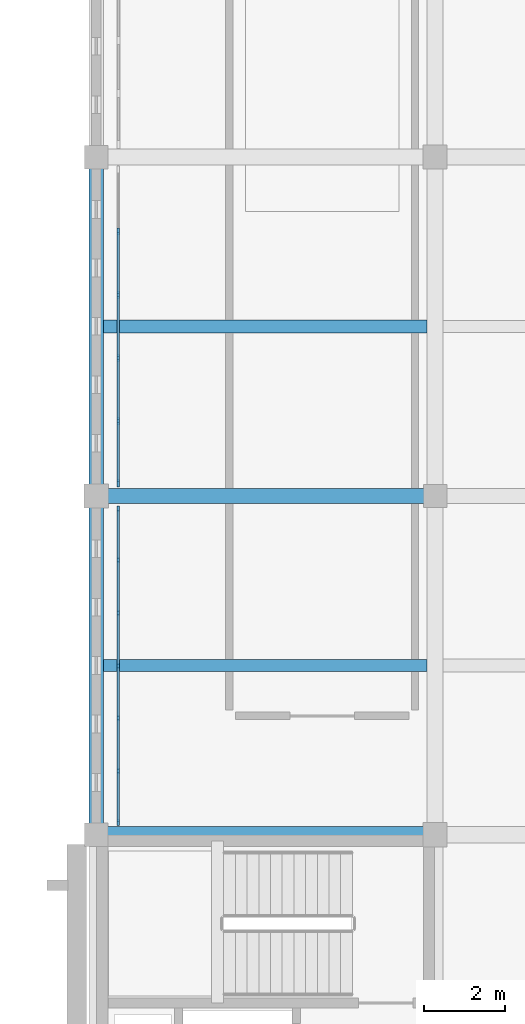
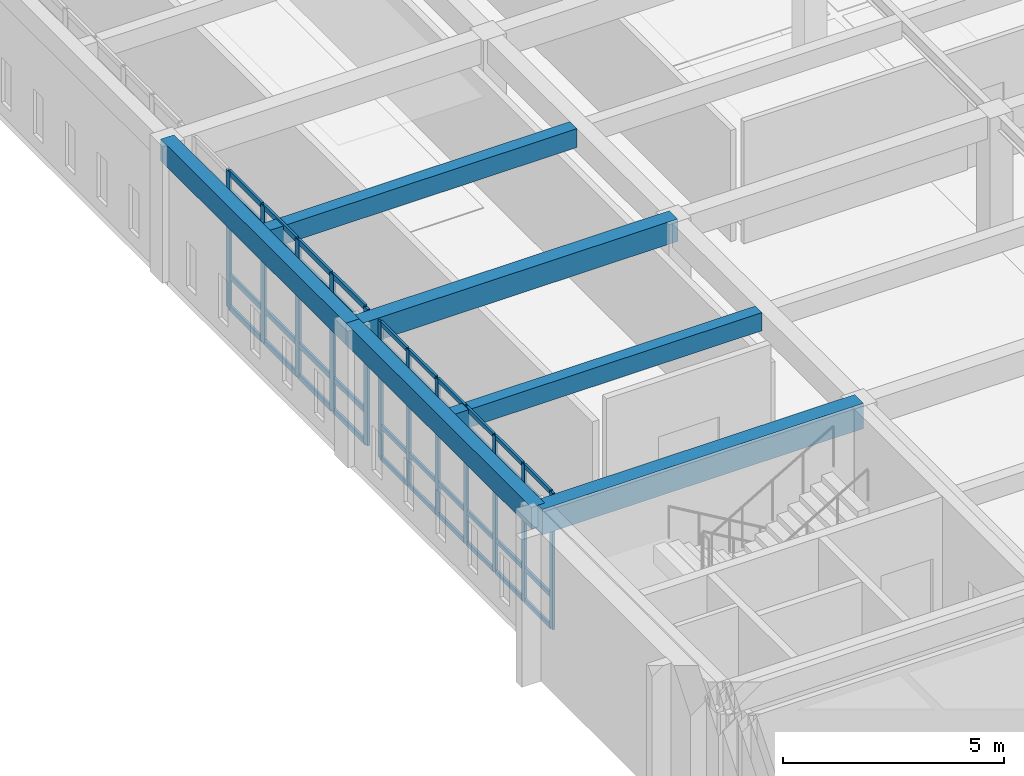
# One storey, part 2 of 56: 52 members, 6 beams, 2 elements without a shape of their own.
"""IFC4 building model written with IfcOpenShell, lengths in metres."""

from ifc_helpers import new_model, si_unit, direction, frame, origin, origin_2d, place, context, subcontext, project, spatial, rectangle, extrude, material, layer, layer_set, material_profile, profile_set, type_object, element, aggregate, save


model = new_model("IFC4")

# Units and contexts
model_context = context("Model", 3, precision=1e-05, world=origin(), true_north=direction((0.0, 1.0)))
body_context = subcontext(model_context, "Body", "Model", "MODEL_VIEW")
ifc_project = project(units=[si_unit("LENGTHUNIT", "METRE"), si_unit("AREAUNIT", "SQUARE_METRE"), si_unit("VOLUMEUNIT", "CUBIC_METRE"), si_unit("PLANEANGLEUNIT", "RADIAN"), si_unit("MASSUNIT", "GRAM", prefix="KILO")], contexts=[model_context])

# Site, building, storey
site_placement = place(None, origin())
site = spatial("IfcSite", under=ifc_project, at=site_placement, CompositionType="ELEMENT")
building_placement = place(site_placement, origin())
building = spatial("IfcBuilding", under=site, at=building_placement, Name="Kveldsbrygga Polytechnic", CompositionType="ELEMENT")
storey_placement = place(building_placement, frame((0.0, 0.0, 18.02001953125)))
storey = spatial("IfcBuildingStorey", under=building, at=storey_placement, Name="L04", CompositionType="ELEMENT", Elevation=18.02001953125)

# Beams
ifc_material_1 = material(Name="Concrete C35/45", Category="concrete")
ifc_material_profile_1 = material_profile(ifc_material_1, rectangle(XDim=0.3798828125, YDim=0.6201171875, at=origin_2d()), Name="RC 380x620")
ifc_profile_set_1 = profile_set([ifc_material_profile_1], Name="Concrete C35/45")
beam_type_1 = type_object("IfcBeamType", Name="BM-RC-380x620", PredefinedType="BEAM", material=ifc_profile_set_1)
beam_1_placement = place(storey_placement, frame((126.0, 42.0, 3.469970703125), z_axis=(1.0, 0.0, 0.0), x_axis=(0.0, 1.0, 0.0)))
element("IfcBeam", 1, at=beam_1_placement, inside=storey, type_object=beam_type_1, Name="Primary Beam BMX-L04-15to16-05", PredefinedType="BEAM", context=body_context, shape_type="SweptSolid", body=[
    extrude(rectangle(XDim=0.3798828125, YDim=0.6201171875, at=origin_2d()), origin(), (0.0, 0.0, 1.0), 8.39990234375),
])
ifc_material_profile_2 = material_profile(ifc_material_1, rectangle(XDim=0.39990234375, YDim=0.699951171875, at=origin_2d()), Name="RC 400x700")
ifc_profile_set_2 = profile_set([ifc_material_profile_2], Name="Concrete C35/45")
beam_type_2 = type_object("IfcBeamType", Name="BM-RC-400x700", PredefinedType="BEAM", material=ifc_profile_set_2)
beam_2_placement = place(storey_placement, frame((126.0, 33.60009765625, 3.429931640625), z_axis=(1.0, 0.0, 0.0), x_axis=(0.0, 1.0, 0.0)))
element("IfcBeam", 2, at=beam_2_placement, inside=storey, type_object=beam_type_2, Name="Primary Beam BMX-L04-15to16-04", PredefinedType="BEAM", context=body_context, shape_type="SweptSolid", body=[
    extrude(rectangle(XDim=0.39990234375, YDim=0.699951171875, at=origin_2d()), origin(), (0.0, 0.0, 1.0), 8.39990234375),
])
ifc_material_profile_3 = material_profile(ifc_material_1, rectangle(XDim=0.35009765625, YDim=0.60009765625, at=origin_2d()), Name="RC 350x600")
ifc_profile_set_3 = profile_set([ifc_material_profile_3], Name="Concrete C35/45")
beam_type_3 = type_object("IfcBeamType", Name="BM-SPANDREL-600", PredefinedType="T_BEAM", material=ifc_profile_set_3)
for number, where, z_axis, x_axis, name in (
    (3, (126.0, 33.60009765625, 3.47998046875), (0.0, 1.0, 0.0), (-1.0, 0.0, 0.0), "Primary Beam BMY-L04-15-04to05"),
    (4, (126.0, 42.0, 3.47998046875), (0.0, 1.0, 0.0), (-1.0, 0.0, 0.0), "Primary Beam BMY-L04-15-05to06"),
):
    element("IfcBeam", number, at=place(storey_placement, frame(where, z_axis=z_axis, x_axis=x_axis)), inside=storey, type_object=beam_type_3, Name=name, PredefinedType="T_BEAM", context=body_context, shape_type="SweptSolid", body=[
        extrude(rectangle(XDim=0.35009765625, YDim=0.60009765625, at=origin_2d()), origin(), (0.0, 0.0, 1.0), 8.39990234375),
    ])

# Curtain wall, members
ifc_material_2 = material(Name="Anodised aluminium AW-6060", Category="aluminium")
ifc_layer_1 = layer(ifc_material_2, 0.179931640625)
ifc_layer_set_1 = layer_set([ifc_layer_1], Name="Anodised aluminium AW-6060")
curtain_wall_type_1 = type_object("IfcCurtainWallType", Name="CW-CONC-A", PredefinedType="USERDEFINED", material=ifc_layer_set_1)
curtain_wall_1_placement = place(storey_placement, origin())
curtain_wall_1 = element("IfcCurtainWall", 5, at=curtain_wall_1_placement, inside=storey, type_object=curtain_wall_type_1, Name="Curtain Wall CW-L04-Y-15-04", ObjectType="UNITISED CURTAIN WALL", PredefinedType="USERDEFINED")
ifc_material_profile_4 = material_profile(ifc_material_2, rectangle(XDim=0.06005859375, YDim=0.139892578125, at=origin_2d()), Name="ALU 60x140")
ifc_profile_set_4 = profile_set([ifc_material_profile_4], Name="Anodised aluminium AW-6060")
member_type_1 = type_object("IfcMemberType", Name="CW-MUL-140", PredefinedType="MULLION", material=ifc_profile_set_4)
member_1_placement = place(storey_placement, frame((126.550048828125, 33.905029296875, 0.0), z_axis=(0.0, 0.0, 1.0), x_axis=(-1.0, 0.0, 0.0)))
member_1 = element("IfcMember", 6, at=member_1_placement, type_object=member_type_1, Name="CW-01 mullion 1", PredefinedType="MULLION", context=body_context, shape_type="SweptSolid", body=[
    extrude(rectangle(XDim=0.06005859375, YDim=0.139892578125, at=origin_2d()), origin(), (0.0, 0.0, 1.0), 3.780029296875),
])
member_2_placement = place(storey_placement, frame((126.550048828125, 35.181640625, 0.0), z_axis=(0.0, 0.0, 1.0), x_axis=(-1.0, 0.0, 0.0)))
member_2 = element("IfcMember", 7, at=member_2_placement, type_object=member_type_1, Name="CW-01 mullion 2", PredefinedType="MULLION", context=body_context, shape_type="SweptSolid", body=[
    extrude(rectangle(XDim=0.06005859375, YDim=0.139892578125, at=origin_2d()), origin(), (0.0, 0.0, 1.0), 3.780029296875),
])
member_3_placement = place(storey_placement, frame((126.550048828125, 36.48828125, 0.0), z_axis=(0.0, 0.0, 1.0), x_axis=(-1.0, 0.0, 0.0)))
member_3 = element("IfcMember", 8, at=member_3_placement, type_object=member_type_1, Name="CW-01 mullion 3", PredefinedType="MULLION", context=body_context, shape_type="SweptSolid", body=[
    extrude(rectangle(XDim=0.06005859375, YDim=0.139892578125, at=origin_2d()), origin(), (0.0, 0.0, 1.0), 3.780029296875),
])
member_4_placement = place(storey_placement, frame((126.550048828125, 37.794921875, 0.0), z_axis=(0.0, 0.0, 1.0), x_axis=(-1.0, 0.0, 0.0)))
member_4 = element("IfcMember", 9, at=member_4_placement, type_object=member_type_1, Name="CW-01 mullion 4", PredefinedType="MULLION", context=body_context, shape_type="SweptSolid", body=[
    extrude(rectangle(XDim=0.06005859375, YDim=0.139892578125, at=origin_2d()), origin(), (0.0, 0.0, 1.0), 3.780029296875),
])
member_5_placement = place(storey_placement, frame((126.550048828125, 39.1015625, 0.0), z_axis=(0.0, 0.0, 1.0), x_axis=(-1.0, 0.0, 0.0)))
member_5 = element("IfcMember", 10, at=member_5_placement, type_object=member_type_1, Name="CW-01 mullion 5", PredefinedType="MULLION", context=body_context, shape_type="SweptSolid", body=[
    extrude(rectangle(XDim=0.06005859375, YDim=0.139892578125, at=origin_2d()), origin(), (0.0, 0.0, 1.0), 3.780029296875),
])
member_6_placement = place(storey_placement, frame((126.550048828125, 40.408447265625, 0.0), z_axis=(0.0, 0.0, 1.0), x_axis=(-1.0, 0.0, 0.0)))
member_6 = element("IfcMember", 11, at=member_6_placement, type_object=member_type_1, Name="CW-01 mullion 6", PredefinedType="MULLION", context=body_context, shape_type="SweptSolid", body=[
    extrude(rectangle(XDim=0.06005859375, YDim=0.139892578125, at=origin_2d()), origin(), (0.0, 0.0, 1.0), 3.780029296875),
])
member_7_placement = place(storey_placement, frame((126.550048828125, 41.68505859375, 0.0), z_axis=(0.0, 0.0, 1.0), x_axis=(-1.0, 0.0, 0.0)))
member_7 = element("IfcMember", 12, at=member_7_placement, type_object=member_type_1, Name="CW-01 mullion 7", PredefinedType="MULLION", context=body_context, shape_type="SweptSolid", body=[
    extrude(rectangle(XDim=0.06005859375, YDim=0.139892578125, at=origin_2d()), origin(), (0.0, 0.0, 1.0), 3.780029296875),
])

ifc_layer_2 = layer(ifc_material_2, 0.199951171875)
ifc_layer_set_2 = layer_set([ifc_layer_2], Name="Anodised aluminium AW-6060")
curtain_wall_type_2 = type_object("IfcCurtainWallType", Name="CW-CONC-B", PredefinedType="USERDEFINED", material=ifc_layer_set_2)
curtain_wall_2_placement = place(storey_placement, origin())
curtain_wall_2 = element("IfcCurtainWall", 13, at=curtain_wall_2_placement, inside=storey, type_object=curtain_wall_type_2, Name="Curtain Wall CW-L04-Y-15-05", ObjectType="UNITISED CURTAIN WALL", PredefinedType="USERDEFINED")
ifc_material_profile_5 = material_profile(ifc_material_2, rectangle(XDim=0.06005859375, YDim=0.179931640625, at=origin_2d()), Name="ALU 60x180")
ifc_profile_set_5 = profile_set([ifc_material_profile_5], Name="Anodised aluminium AW-6060")
member_type_2 = type_object("IfcMemberType", Name="CW-MUL-180", PredefinedType="MULLION", material=ifc_profile_set_5)
member_8_placement = place(storey_placement, frame((126.550048828125, 42.31494140625, 0.0), z_axis=(0.0, 0.0, 1.0), x_axis=(-1.0, 0.0, 0.0)))
member_8 = element("IfcMember", 14, at=member_8_placement, type_object=member_type_2, Name="CW-02 mullion 1", PredefinedType="MULLION", context=body_context, shape_type="SweptSolid", body=[
    extrude(rectangle(XDim=0.06005859375, YDim=0.179931640625, at=origin_2d()), origin(), (0.0, 0.0, 1.0), 3.780029296875),
])
member_9_placement = place(storey_placement, frame((126.550048828125, 43.85302734375, 0.0), z_axis=(0.0, 0.0, 1.0), x_axis=(-1.0, 0.0, 0.0)))
member_9 = element("IfcMember", 15, at=member_9_placement, type_object=member_type_2, Name="CW-02 mullion 2", PredefinedType="MULLION", context=body_context, shape_type="SweptSolid", body=[
    extrude(rectangle(XDim=0.06005859375, YDim=0.179931640625, at=origin_2d()), origin(), (0.0, 0.0, 1.0), 3.780029296875),
])
member_10_placement = place(storey_placement, frame((126.550048828125, 45.4208984375, 0.0), z_axis=(0.0, 0.0, 1.0), x_axis=(-1.0, 0.0, 0.0)))
member_10 = element("IfcMember", 16, at=member_10_placement, type_object=member_type_2, Name="CW-02 mullion 3", PredefinedType="MULLION", context=body_context, shape_type="SweptSolid", body=[
    extrude(rectangle(XDim=0.06005859375, YDim=0.179931640625, at=origin_2d()), origin(), (0.0, 0.0, 1.0), 3.780029296875),
])
member_11_placement = place(storey_placement, frame((126.550048828125, 46.989013671875, 0.0), z_axis=(0.0, 0.0, 1.0), x_axis=(-1.0, 0.0, 0.0)))
member_11 = element("IfcMember", 17, at=member_11_placement, type_object=member_type_2, Name="CW-02 mullion 4", PredefinedType="MULLION", context=body_context, shape_type="SweptSolid", body=[
    extrude(rectangle(XDim=0.06005859375, YDim=0.179931640625, at=origin_2d()), origin(), (0.0, 0.0, 1.0), 3.780029296875),
])
member_12_placement = place(storey_placement, frame((126.550048828125, 48.556884765625, 0.0), z_axis=(0.0, 0.0, 1.0), x_axis=(-1.0, 0.0, 0.0)))
member_12 = element("IfcMember", 18, at=member_12_placement, type_object=member_type_2, Name="CW-02 mullion 5", PredefinedType="MULLION", context=body_context, shape_type="SweptSolid", body=[
    extrude(rectangle(XDim=0.06005859375, YDim=0.179931640625, at=origin_2d()), origin(), (0.0, 0.0, 1.0), 3.780029296875),
])

# Member
ifc_material_profile_6 = material_profile(ifc_material_2, rectangle(XDim=0.06005859375, YDim=0.1201171875, at=origin_2d()), Name="ALU 60x120")
ifc_profile_set_6 = profile_set([ifc_material_profile_6], Name="Anodised aluminium AW-6060")
member_type_3 = type_object("IfcMemberType", Name="CW-TRN-120", PredefinedType="USERDEFINED", material=ifc_profile_set_6)
member_13_placement = place(storey_placement, frame((126.550048828125, 33.93505859375, 0.030029296875), z_axis=(0.0, 1.0, 0.0), x_axis=(-1.0, 0.0, 0.0)))
member_13 = element("IfcMember", 19, at=member_13_placement, type_object=member_type_3, Name="CW-01 transom 1.1", ObjectType="TRANSOM", PredefinedType="USERDEFINED", context=body_context, shape_type="SweptSolid", body=[
    extrude(rectangle(XDim=0.06005859375, YDim=0.1201171875, at=origin_2d()), origin(), (0.0, 0.0, 1.0), 1.216552734375),
])

member_14_placement = place(storey_placement, frame((126.550048828125, 33.93505859375, 0.89990234375), z_axis=(0.0, 1.0, 0.0), x_axis=(-1.0, 0.0, 0.0)))
member_14 = element("IfcMember", 20, at=member_14_placement, type_object=member_type_3, Name="CW-01 transom 1.2", ObjectType="TRANSOM", PredefinedType="USERDEFINED", context=body_context, shape_type="SweptSolid", body=[
    extrude(rectangle(XDim=0.06005859375, YDim=0.1201171875, at=origin_2d()), origin(), (0.0, 0.0, 1.0), 1.216552734375),
])

member_15_placement = place(storey_placement, frame((126.550048828125, 33.93505859375, 3.22998046875), z_axis=(0.0, 1.0, 0.0), x_axis=(-1.0, 0.0, 0.0)))
member_15 = element("IfcMember", 21, at=member_15_placement, type_object=member_type_3, Name="CW-01 transom 1.3", ObjectType="TRANSOM", PredefinedType="USERDEFINED", context=body_context, shape_type="SweptSolid", body=[
    extrude(rectangle(XDim=0.06005859375, YDim=0.1201171875, at=origin_2d()), origin(), (0.0, 0.0, 1.0), 1.216552734375),
])

member_16_placement = place(storey_placement, frame((126.550048828125, 33.93505859375, 3.75), z_axis=(0.0, 1.0, 0.0), x_axis=(-1.0, 0.0, 0.0)))
member_16 = element("IfcMember", 22, at=member_16_placement, type_object=member_type_3, Name="CW-01 transom 1.4", ObjectType="TRANSOM", PredefinedType="USERDEFINED", context=body_context, shape_type="SweptSolid", body=[
    extrude(rectangle(XDim=0.06005859375, YDim=0.1201171875, at=origin_2d()), origin(), (0.0, 0.0, 1.0), 1.216552734375),
])

member_17_placement = place(storey_placement, frame((126.550048828125, 35.211669921875, 0.030029296875), z_axis=(0.0, 1.0, 0.0), x_axis=(-1.0, 0.0, 0.0)))
member_17 = element("IfcMember", 23, at=member_17_placement, type_object=member_type_3, Name="CW-01 transom 2.1", ObjectType="TRANSOM", PredefinedType="USERDEFINED", context=body_context, shape_type="SweptSolid", body=[
    extrude(rectangle(XDim=0.06005859375, YDim=0.1201171875, at=origin_2d()), origin(), (0.0, 0.0, 1.0), 1.24658203125),
])

member_18_placement = place(storey_placement, frame((126.550048828125, 35.211669921875, 0.89990234375), z_axis=(0.0, 1.0, 0.0), x_axis=(-1.0, 0.0, 0.0)))
member_18 = element("IfcMember", 24, at=member_18_placement, type_object=member_type_3, Name="CW-01 transom 2.2", ObjectType="TRANSOM", PredefinedType="USERDEFINED", context=body_context, shape_type="SweptSolid", body=[
    extrude(rectangle(XDim=0.06005859375, YDim=0.1201171875, at=origin_2d()), origin(), (0.0, 0.0, 1.0), 1.24658203125),
])

member_19_placement = place(storey_placement, frame((126.550048828125, 35.211669921875, 3.22998046875), z_axis=(0.0, 1.0, 0.0), x_axis=(-1.0, 0.0, 0.0)))
member_19 = element("IfcMember", 25, at=member_19_placement, type_object=member_type_3, Name="CW-01 transom 2.3", ObjectType="TRANSOM", PredefinedType="USERDEFINED", context=body_context, shape_type="SweptSolid", body=[
    extrude(rectangle(XDim=0.06005859375, YDim=0.1201171875, at=origin_2d()), origin(), (0.0, 0.0, 1.0), 1.24658203125),
])

member_20_placement = place(storey_placement, frame((126.550048828125, 35.211669921875, 3.75), z_axis=(0.0, 1.0, 0.0), x_axis=(-1.0, 0.0, 0.0)))
member_20 = element("IfcMember", 26, at=member_20_placement, type_object=member_type_3, Name="CW-01 transom 2.4", ObjectType="TRANSOM", PredefinedType="USERDEFINED", context=body_context, shape_type="SweptSolid", body=[
    extrude(rectangle(XDim=0.06005859375, YDim=0.1201171875, at=origin_2d()), origin(), (0.0, 0.0, 1.0), 1.24658203125),
])

member_21_placement = place(storey_placement, frame((126.550048828125, 36.518310546875, 0.030029296875), z_axis=(0.0, 1.0, 0.0), x_axis=(-1.0, 0.0, 0.0)))
member_21 = element("IfcMember", 27, at=member_21_placement, type_object=member_type_3, Name="CW-01 transom 3.1", ObjectType="TRANSOM", PredefinedType="USERDEFINED", context=body_context, shape_type="SweptSolid", body=[
    extrude(rectangle(XDim=0.06005859375, YDim=0.1201171875, at=origin_2d()), origin(), (0.0, 0.0, 1.0), 1.24658203125),
])

member_22_placement = place(storey_placement, frame((126.550048828125, 36.518310546875, 0.89990234375), z_axis=(0.0, 1.0, 0.0), x_axis=(-1.0, 0.0, 0.0)))
member_22 = element("IfcMember", 28, at=member_22_placement, type_object=member_type_3, Name="CW-01 transom 3.2", ObjectType="TRANSOM", PredefinedType="USERDEFINED", context=body_context, shape_type="SweptSolid", body=[
    extrude(rectangle(XDim=0.06005859375, YDim=0.1201171875, at=origin_2d()), origin(), (0.0, 0.0, 1.0), 1.24658203125),
])

member_23_placement = place(storey_placement, frame((126.550048828125, 36.518310546875, 3.22998046875), z_axis=(0.0, 1.0, 0.0), x_axis=(-1.0, 0.0, 0.0)))
member_23 = element("IfcMember", 29, at=member_23_placement, type_object=member_type_3, Name="CW-01 transom 3.3", ObjectType="TRANSOM", PredefinedType="USERDEFINED", context=body_context, shape_type="SweptSolid", body=[
    extrude(rectangle(XDim=0.06005859375, YDim=0.1201171875, at=origin_2d()), origin(), (0.0, 0.0, 1.0), 1.24658203125),
])

member_24_placement = place(storey_placement, frame((126.550048828125, 36.518310546875, 3.75), z_axis=(0.0, 1.0, 0.0), x_axis=(-1.0, 0.0, 0.0)))
member_24 = element("IfcMember", 30, at=member_24_placement, type_object=member_type_3, Name="CW-01 transom 3.4", ObjectType="TRANSOM", PredefinedType="USERDEFINED", context=body_context, shape_type="SweptSolid", body=[
    extrude(rectangle(XDim=0.06005859375, YDim=0.1201171875, at=origin_2d()), origin(), (0.0, 0.0, 1.0), 1.24658203125),
])

member_25_placement = place(storey_placement, frame((126.550048828125, 37.824951171875, 0.030029296875), z_axis=(0.0, 1.0, 0.0), x_axis=(-1.0, 0.0, 0.0)))
member_25 = element("IfcMember", 31, at=member_25_placement, type_object=member_type_3, Name="CW-01 transom 4.1", ObjectType="TRANSOM", PredefinedType="USERDEFINED", context=body_context, shape_type="SweptSolid", body=[
    extrude(rectangle(XDim=0.06005859375, YDim=0.1201171875, at=origin_2d()), origin(), (0.0, 0.0, 1.0), 1.246826171875),
])

member_26_placement = place(storey_placement, frame((126.550048828125, 37.824951171875, 0.89990234375), z_axis=(0.0, 1.0, 0.0), x_axis=(-1.0, 0.0, 0.0)))
member_26 = element("IfcMember", 32, at=member_26_placement, type_object=member_type_3, Name="CW-01 transom 4.2", ObjectType="TRANSOM", PredefinedType="USERDEFINED", context=body_context, shape_type="SweptSolid", body=[
    extrude(rectangle(XDim=0.06005859375, YDim=0.1201171875, at=origin_2d()), origin(), (0.0, 0.0, 1.0), 1.246826171875),
])

member_27_placement = place(storey_placement, frame((126.550048828125, 37.824951171875, 3.22998046875), z_axis=(0.0, 1.0, 0.0), x_axis=(-1.0, 0.0, 0.0)))
member_27 = element("IfcMember", 33, at=member_27_placement, type_object=member_type_3, Name="CW-01 transom 4.3", ObjectType="TRANSOM", PredefinedType="USERDEFINED", context=body_context, shape_type="SweptSolid", body=[
    extrude(rectangle(XDim=0.06005859375, YDim=0.1201171875, at=origin_2d()), origin(), (0.0, 0.0, 1.0), 1.246826171875),
])

member_28_placement = place(storey_placement, frame((126.550048828125, 37.824951171875, 3.75), z_axis=(0.0, 1.0, 0.0), x_axis=(-1.0, 0.0, 0.0)))
member_28 = element("IfcMember", 34, at=member_28_placement, type_object=member_type_3, Name="CW-01 transom 4.4", ObjectType="TRANSOM", PredefinedType="USERDEFINED", context=body_context, shape_type="SweptSolid", body=[
    extrude(rectangle(XDim=0.06005859375, YDim=0.1201171875, at=origin_2d()), origin(), (0.0, 0.0, 1.0), 1.246826171875),
])

member_29_placement = place(storey_placement, frame((126.550048828125, 39.131591796875, 0.030029296875), z_axis=(0.0, 1.0, 0.0), x_axis=(-1.0, 0.0, 0.0)))
member_29 = element("IfcMember", 35, at=member_29_placement, type_object=member_type_3, Name="CW-01 transom 5.1", ObjectType="TRANSOM", PredefinedType="USERDEFINED", context=body_context, shape_type="SweptSolid", body=[
    extrude(rectangle(XDim=0.06005859375, YDim=0.1201171875, at=origin_2d()), origin(), (0.0, 0.0, 1.0), 1.246826171875),
])

member_30_placement = place(storey_placement, frame((126.550048828125, 39.131591796875, 0.89990234375), z_axis=(0.0, 1.0, 0.0), x_axis=(-1.0, 0.0, 0.0)))
member_30 = element("IfcMember", 36, at=member_30_placement, type_object=member_type_3, Name="CW-01 transom 5.2", ObjectType="TRANSOM", PredefinedType="USERDEFINED", context=body_context, shape_type="SweptSolid", body=[
    extrude(rectangle(XDim=0.06005859375, YDim=0.1201171875, at=origin_2d()), origin(), (0.0, 0.0, 1.0), 1.246826171875),
])

member_31_placement = place(storey_placement, frame((126.550048828125, 39.131591796875, 3.22998046875), z_axis=(0.0, 1.0, 0.0), x_axis=(-1.0, 0.0, 0.0)))
member_31 = element("IfcMember", 37, at=member_31_placement, type_object=member_type_3, Name="CW-01 transom 5.3", ObjectType="TRANSOM", PredefinedType="USERDEFINED", context=body_context, shape_type="SweptSolid", body=[
    extrude(rectangle(XDim=0.06005859375, YDim=0.1201171875, at=origin_2d()), origin(), (0.0, 0.0, 1.0), 1.246826171875),
])

member_32_placement = place(storey_placement, frame((126.550048828125, 39.131591796875, 3.75), z_axis=(0.0, 1.0, 0.0), x_axis=(-1.0, 0.0, 0.0)))
member_32 = element("IfcMember", 38, at=member_32_placement, type_object=member_type_3, Name="CW-01 transom 5.4", ObjectType="TRANSOM", PredefinedType="USERDEFINED", context=body_context, shape_type="SweptSolid", body=[
    extrude(rectangle(XDim=0.06005859375, YDim=0.1201171875, at=origin_2d()), origin(), (0.0, 0.0, 1.0), 1.246826171875),
])

member_33_placement = place(storey_placement, frame((126.550048828125, 40.438232421875, 0.030029296875), z_axis=(0.0, 1.0, 0.0), x_axis=(-1.0, 0.0, 0.0)))
member_33 = element("IfcMember", 39, at=member_33_placement, type_object=member_type_3, Name="CW-01 transom 6.1", ObjectType="TRANSOM", PredefinedType="USERDEFINED", context=body_context, shape_type="SweptSolid", body=[
    extrude(rectangle(XDim=0.06005859375, YDim=0.1201171875, at=origin_2d()), origin(), (0.0, 0.0, 1.0), 1.216796875),
])

member_34_placement = place(storey_placement, frame((126.550048828125, 40.438232421875, 0.89990234375), z_axis=(0.0, 1.0, 0.0), x_axis=(-1.0, 0.0, 0.0)))
member_34 = element("IfcMember", 40, at=member_34_placement, type_object=member_type_3, Name="CW-01 transom 6.2", ObjectType="TRANSOM", PredefinedType="USERDEFINED", context=body_context, shape_type="SweptSolid", body=[
    extrude(rectangle(XDim=0.06005859375, YDim=0.1201171875, at=origin_2d()), origin(), (0.0, 0.0, 1.0), 1.216796875),
])

member_35_placement = place(storey_placement, frame((126.550048828125, 40.438232421875, 3.22998046875), z_axis=(0.0, 1.0, 0.0), x_axis=(-1.0, 0.0, 0.0)))
member_35 = element("IfcMember", 41, at=member_35_placement, type_object=member_type_3, Name="CW-01 transom 6.3", ObjectType="TRANSOM", PredefinedType="USERDEFINED", context=body_context, shape_type="SweptSolid", body=[
    extrude(rectangle(XDim=0.06005859375, YDim=0.1201171875, at=origin_2d()), origin(), (0.0, 0.0, 1.0), 1.216796875),
])

member_36_placement = place(storey_placement, frame((126.550048828125, 40.438232421875, 3.75), z_axis=(0.0, 1.0, 0.0), x_axis=(-1.0, 0.0, 0.0)))
member_36 = element("IfcMember", 42, at=member_36_placement, type_object=member_type_3, Name="CW-01 transom 6.4", ObjectType="TRANSOM", PredefinedType="USERDEFINED", context=body_context, shape_type="SweptSolid", body=[
    extrude(rectangle(XDim=0.06005859375, YDim=0.1201171875, at=origin_2d()), origin(), (0.0, 0.0, 1.0), 1.216796875),
])

aggregate(curtain_wall_1, [member_1, member_2, member_3, member_4, member_5, member_6, member_7, member_13, member_14, member_15, member_16, member_17, member_18, member_19, member_20, member_21, member_22, member_23, member_24, member_25, member_26, member_27, member_28, member_29, member_30, member_31, member_32, member_33, member_34, member_35, member_36])

ifc_material_profile_7 = material_profile(ifc_material_2, rectangle(XDim=0.06005859375, YDim=0.14990234375, at=origin_2d()), Name="ALU 60x150")
ifc_profile_set_7 = profile_set([ifc_material_profile_7], Name="Anodised aluminium AW-6060")
member_type_4 = type_object("IfcMemberType", Name="CW-TRN-150", PredefinedType="USERDEFINED", material=ifc_profile_set_7)
member_37_placement = place(storey_placement, frame((126.550048828125, 42.344970703125, 0.030029296875), z_axis=(0.0, 1.0, 0.0), x_axis=(-1.0, 0.0, 0.0)))
member_37 = element("IfcMember", 43, at=member_37_placement, type_object=member_type_4, Name="CW-02 transom 1.1", ObjectType="TRANSOM", PredefinedType="USERDEFINED", context=body_context, shape_type="SweptSolid", body=[
    extrude(rectangle(XDim=0.06005859375, YDim=0.14990234375, at=origin_2d()), origin(), (0.0, 0.0, 1.0), 1.47802734375),
])

member_38_placement = place(storey_placement, frame((126.550048828125, 42.344970703125, 0.89990234375), z_axis=(0.0, 1.0, 0.0), x_axis=(-1.0, 0.0, 0.0)))
member_38 = element("IfcMember", 44, at=member_38_placement, type_object=member_type_4, Name="CW-02 transom 1.2", ObjectType="TRANSOM", PredefinedType="USERDEFINED", context=body_context, shape_type="SweptSolid", body=[
    extrude(rectangle(XDim=0.06005859375, YDim=0.14990234375, at=origin_2d()), origin(), (0.0, 0.0, 1.0), 1.47802734375),
])

member_39_placement = place(storey_placement, frame((126.550048828125, 42.344970703125, 3.22998046875), z_axis=(0.0, 1.0, 0.0), x_axis=(-1.0, 0.0, 0.0)))
member_39 = element("IfcMember", 45, at=member_39_placement, type_object=member_type_4, Name="CW-02 transom 1.3", ObjectType="TRANSOM", PredefinedType="USERDEFINED", context=body_context, shape_type="SweptSolid", body=[
    extrude(rectangle(XDim=0.06005859375, YDim=0.14990234375, at=origin_2d()), origin(), (0.0, 0.0, 1.0), 1.47802734375),
])

member_40_placement = place(storey_placement, frame((126.550048828125, 42.344970703125, 3.75), z_axis=(0.0, 1.0, 0.0), x_axis=(-1.0, 0.0, 0.0)))
member_40 = element("IfcMember", 46, at=member_40_placement, type_object=member_type_4, Name="CW-02 transom 1.4", ObjectType="TRANSOM", PredefinedType="USERDEFINED", context=body_context, shape_type="SweptSolid", body=[
    extrude(rectangle(XDim=0.06005859375, YDim=0.14990234375, at=origin_2d()), origin(), (0.0, 0.0, 1.0), 1.47802734375),
])

member_41_placement = place(storey_placement, frame((126.550048828125, 43.883056640625, 0.030029296875), z_axis=(0.0, 1.0, 0.0), x_axis=(-1.0, 0.0, 0.0)))
member_41 = element("IfcMember", 47, at=member_41_placement, type_object=member_type_4, Name="CW-02 transom 2.1", ObjectType="TRANSOM", PredefinedType="USERDEFINED", context=body_context, shape_type="SweptSolid", body=[
    extrude(rectangle(XDim=0.06005859375, YDim=0.14990234375, at=origin_2d()), origin(), (0.0, 0.0, 1.0), 1.508056640625),
])

member_42_placement = place(storey_placement, frame((126.550048828125, 43.883056640625, 0.89990234375), z_axis=(0.0, 1.0, 0.0), x_axis=(-1.0, 0.0, 0.0)))
member_42 = element("IfcMember", 48, at=member_42_placement, type_object=member_type_4, Name="CW-02 transom 2.2", ObjectType="TRANSOM", PredefinedType="USERDEFINED", context=body_context, shape_type="SweptSolid", body=[
    extrude(rectangle(XDim=0.06005859375, YDim=0.14990234375, at=origin_2d()), origin(), (0.0, 0.0, 1.0), 1.508056640625),
])

member_43_placement = place(storey_placement, frame((126.550048828125, 43.883056640625, 3.22998046875), z_axis=(0.0, 1.0, 0.0), x_axis=(-1.0, 0.0, 0.0)))
member_43 = element("IfcMember", 49, at=member_43_placement, type_object=member_type_4, Name="CW-02 transom 2.3", ObjectType="TRANSOM", PredefinedType="USERDEFINED", context=body_context, shape_type="SweptSolid", body=[
    extrude(rectangle(XDim=0.06005859375, YDim=0.14990234375, at=origin_2d()), origin(), (0.0, 0.0, 1.0), 1.508056640625),
])

member_44_placement = place(storey_placement, frame((126.550048828125, 43.883056640625, 3.75), z_axis=(0.0, 1.0, 0.0), x_axis=(-1.0, 0.0, 0.0)))
member_44 = element("IfcMember", 50, at=member_44_placement, type_object=member_type_4, Name="CW-02 transom 2.4", ObjectType="TRANSOM", PredefinedType="USERDEFINED", context=body_context, shape_type="SweptSolid", body=[
    extrude(rectangle(XDim=0.06005859375, YDim=0.14990234375, at=origin_2d()), origin(), (0.0, 0.0, 1.0), 1.508056640625),
])

member_45_placement = place(storey_placement, frame((126.550048828125, 45.450927734375, 0.030029296875), z_axis=(0.0, 1.0, 0.0), x_axis=(-1.0, 0.0, 0.0)))
member_45 = element("IfcMember", 51, at=member_45_placement, type_object=member_type_4, Name="CW-02 transom 3.1", ObjectType="TRANSOM", PredefinedType="USERDEFINED", context=body_context, shape_type="SweptSolid", body=[
    extrude(rectangle(XDim=0.06005859375, YDim=0.14990234375, at=origin_2d()), origin(), (0.0, 0.0, 1.0), 1.508056640625),
])

member_46_placement = place(storey_placement, frame((126.550048828125, 45.450927734375, 0.89990234375), z_axis=(0.0, 1.0, 0.0), x_axis=(-1.0, 0.0, 0.0)))
member_46 = element("IfcMember", 52, at=member_46_placement, type_object=member_type_4, Name="CW-02 transom 3.2", ObjectType="TRANSOM", PredefinedType="USERDEFINED", context=body_context, shape_type="SweptSolid", body=[
    extrude(rectangle(XDim=0.06005859375, YDim=0.14990234375, at=origin_2d()), origin(), (0.0, 0.0, 1.0), 1.508056640625),
])

member_47_placement = place(storey_placement, frame((126.550048828125, 45.450927734375, 3.22998046875), z_axis=(0.0, 1.0, 0.0), x_axis=(-1.0, 0.0, 0.0)))
member_47 = element("IfcMember", 53, at=member_47_placement, type_object=member_type_4, Name="CW-02 transom 3.3", ObjectType="TRANSOM", PredefinedType="USERDEFINED", context=body_context, shape_type="SweptSolid", body=[
    extrude(rectangle(XDim=0.06005859375, YDim=0.14990234375, at=origin_2d()), origin(), (0.0, 0.0, 1.0), 1.508056640625),
])

member_48_placement = place(storey_placement, frame((126.550048828125, 45.450927734375, 3.75), z_axis=(0.0, 1.0, 0.0), x_axis=(-1.0, 0.0, 0.0)))
member_48 = element("IfcMember", 54, at=member_48_placement, type_object=member_type_4, Name="CW-02 transom 3.4", ObjectType="TRANSOM", PredefinedType="USERDEFINED", context=body_context, shape_type="SweptSolid", body=[
    extrude(rectangle(XDim=0.06005859375, YDim=0.14990234375, at=origin_2d()), origin(), (0.0, 0.0, 1.0), 1.508056640625),
])

member_49_placement = place(storey_placement, frame((126.550048828125, 47.01904296875, 0.030029296875), z_axis=(0.0, 1.0, 0.0), x_axis=(-1.0, 0.0, 0.0)))
member_49 = element("IfcMember", 55, at=member_49_placement, type_object=member_type_4, Name="CW-02 transom 4.1", ObjectType="TRANSOM", PredefinedType="USERDEFINED", context=body_context, shape_type="SweptSolid", body=[
    extrude(rectangle(XDim=0.06005859375, YDim=0.14990234375, at=origin_2d()), origin(), (0.0, 0.0, 1.0), 1.508056640625),
])

member_50_placement = place(storey_placement, frame((126.550048828125, 47.01904296875, 0.89990234375), z_axis=(0.0, 1.0, 0.0), x_axis=(-1.0, 0.0, 0.0)))
member_50 = element("IfcMember", 56, at=member_50_placement, type_object=member_type_4, Name="CW-02 transom 4.2", ObjectType="TRANSOM", PredefinedType="USERDEFINED", context=body_context, shape_type="SweptSolid", body=[
    extrude(rectangle(XDim=0.06005859375, YDim=0.14990234375, at=origin_2d()), origin(), (0.0, 0.0, 1.0), 1.508056640625),
])

member_51_placement = place(storey_placement, frame((126.550048828125, 47.01904296875, 3.22998046875), z_axis=(0.0, 1.0, 0.0), x_axis=(-1.0, 0.0, 0.0)))
member_51 = element("IfcMember", 57, at=member_51_placement, type_object=member_type_4, Name="CW-02 transom 4.3", ObjectType="TRANSOM", PredefinedType="USERDEFINED", context=body_context, shape_type="SweptSolid", body=[
    extrude(rectangle(XDim=0.06005859375, YDim=0.14990234375, at=origin_2d()), origin(), (0.0, 0.0, 1.0), 1.508056640625),
])

member_52_placement = place(storey_placement, frame((126.550048828125, 47.01904296875, 3.75), z_axis=(0.0, 1.0, 0.0), x_axis=(-1.0, 0.0, 0.0)))
member_52 = element("IfcMember", 58, at=member_52_placement, type_object=member_type_4, Name="CW-02 transom 4.4", ObjectType="TRANSOM", PredefinedType="USERDEFINED", context=body_context, shape_type="SweptSolid", body=[
    extrude(rectangle(XDim=0.06005859375, YDim=0.14990234375, at=origin_2d()), origin(), (0.0, 0.0, 1.0), 1.508056640625),
])

aggregate(curtain_wall_2, [member_8, member_9, member_10, member_11, member_12, member_37, member_38, member_39, member_40, member_41, member_42, member_43, member_44, member_45, member_46, member_47, member_48, member_49, member_50, member_51, member_52])

# Beams
ifc_material_profile_8 = material_profile(ifc_material_1, rectangle(XDim=0.300048828125, YDim=0.5, at=origin_2d()), Name="RC 300x500")
ifc_profile_set_8 = profile_set([ifc_material_profile_8], Name="Concrete C35/45")
beam_type_4 = type_object("IfcBeamType", Name="JST-RC-300x500", PredefinedType="JOIST", material=ifc_profile_set_8)
beam_3_placement = place(storey_placement, frame((126.175048828125, 37.800048828125, 3.530029296875), z_axis=(1.0, 0.0, 0.0), x_axis=(0.0, 1.0, 0.0)))
element("IfcBeam", 59, at=beam_3_placement, inside=storey, type_object=beam_type_4, Name="Secondary Joist JST-L04-15-04", PredefinedType="JOIST", context=body_context, shape_type="SweptSolid", body=[
    extrude(rectangle(XDim=0.300048828125, YDim=0.5, at=origin_2d()), origin(), (0.0, 0.0, 1.0), 8.02490234375),
])
ifc_material_profile_9 = material_profile(ifc_material_1, rectangle(XDim=0.320068359375, YDim=0.52001953125, at=origin_2d()), Name="RC 320x520")
ifc_profile_set_9 = profile_set([ifc_material_profile_9], Name="Concrete C35/45")
beam_type_5 = type_object("IfcBeamType", Name="JST-RC-320x520", PredefinedType="JOIST", material=ifc_profile_set_9)
beam_4_placement = place(storey_placement, frame((126.175048828125, 46.199951171875, 3.52001953125), z_axis=(1.0, 0.0, 0.0), x_axis=(0.0, 1.0, 0.0)))
element("IfcBeam", 60, at=beam_4_placement, inside=storey, type_object=beam_type_5, Name="Secondary Joist JST-L04-15-05", PredefinedType="JOIST", context=body_context, shape_type="SweptSolid", body=[
    extrude(rectangle(XDim=0.320068359375, YDim=0.52001953125, at=origin_2d()), origin(), (0.0, 0.0, 1.0), 8.02490234375),
])

save(model, "model.ifc")
